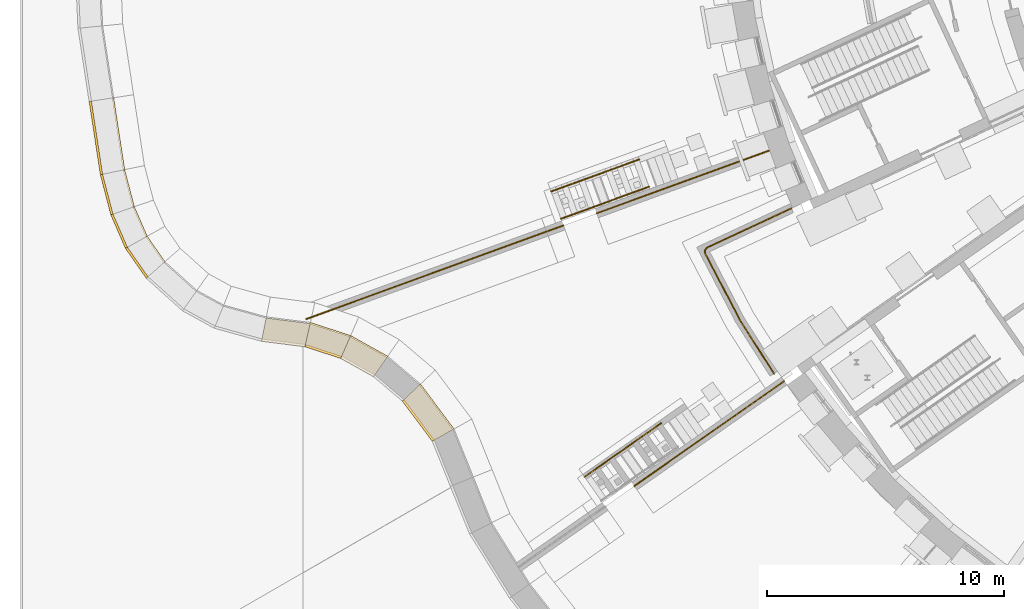
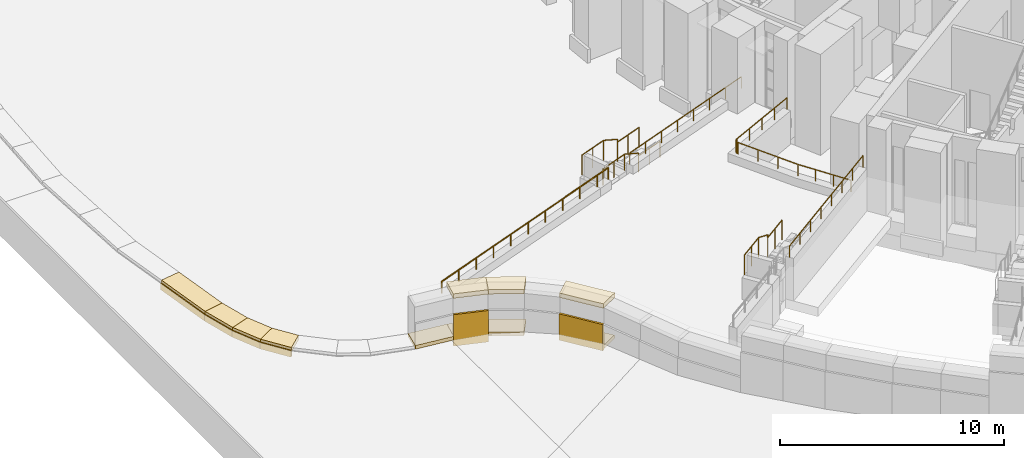
# One storey, part 54 of 65: 17 coverings, 8 railings.
"""IFC4 building model written with IfcOpenShell, lengths in metres."""

from ifc_helpers import new_model, si_unit, direction, frame, origin, origin_2d, place, context, subcontext, project, spatial, polyline, circle, outline, extrude, material, layer, layer_set, type_object, element, save


model = new_model("IFC4")

# Units and contexts
model_context = context("Model", 3, precision=1e-05, world=origin(), true_north=direction((0.0, 1.0)))
body_context = subcontext(model_context, "Body", "Model", "MODEL_VIEW")
ifc_project = project(units=[si_unit("LENGTHUNIT", "METRE"), si_unit("AREAUNIT", "SQUARE_METRE"), si_unit("VOLUMEUNIT", "CUBIC_METRE"), si_unit("PLANEANGLEUNIT", "RADIAN"), si_unit("MASSUNIT", "GRAM", prefix="KILO")], contexts=[model_context])

# Site, building, storey
site_placement = place(None, origin())
site = spatial("IfcSite", under=ifc_project, at=site_placement, CompositionType="ELEMENT")
building_placement = place(site_placement, origin())
building = spatial("IfcBuilding", under=site, at=building_placement, Name="Volute Hill Aquarium", CompositionType="ELEMENT")
storey_placement = place(building_placement, frame((0.0, 0.0, -5.5)))
storey = spatial("IfcBuildingStorey", under=building, at=storey_placement, Name="L00", CompositionType="ELEMENT", Elevation=-5.5)

# Coverings
ifc_material_1 = material(Name="Precast concrete C40/50", Category="concrete")
ifc_layer_1 = layer(ifc_material_1, 0.25)
ifc_layer_set_1 = layer_set([ifc_layer_1], Name="Plinth coping precast concrete C40/50 1000")
covering_type_1 = type_object("IfcCoveringType", Name="Plinth coping precast concrete C40/50 1000", PredefinedType="CLADDING", material=ifc_layer_set_1)
covering_1_placement = place(storey_placement, frame((0.0, 0.0, 2.22509765625)))
element("IfcCovering", 1, at=covering_1_placement, inside=storey, type_object=covering_type_1, Name="cp/E1FB1/L00/0", PredefinedType="CLADDING", context=body_context, shape_type="SweptSolid", body=[
    extrude(outline(polyline([(-49.89990234375, -19.269775390625), (-48.379638671875, -19.76416015625), (-47.977783203125, -18.843505859375), (-49.68017578125, -18.28955078125), (-49.89990234375, -19.269775390625), (-49.89990234375, -19.269775390625)])), origin(), (0.0, 0.0, 1.0), 0.25),
])
covering_2_placement = place(storey_placement, frame((0.0, 0.0, 2.22509765625)))
element("IfcCovering", 2, at=covering_2_placement, inside=storey, type_object=covering_type_1, Name="cp/E2FB1/L00/0", PredefinedType="CLADDING", context=body_context, shape_type="SweptSolid", body=[
    extrude(outline(polyline([(-46.98291015625, -20.543212890625), (-46.98291015625, -20.543212890625), (-46.41064453125, -19.71728515625), (-46.41064453125, -19.71728515625), (-47.977783203125, -18.843505859375), (-47.977783203125, -18.843505859375), (-48.379638671875, -19.76416015625), (-48.379638671875, -19.76416015625), (-46.98291015625, -20.543212890625)])), origin(), (0.0, 0.0, 1.0), 0.25),
])
covering_3_placement = place(storey_placement, frame((0.0, 0.0, 2.22509765625)))
element("IfcCovering", 3, at=covering_3_placement, inside=storey, type_object=covering_type_1, Name="cp/E4FB1/L00/0", PredefinedType="CLADDING", context=body_context, shape_type="SweptSolid", body=[
    extrude(outline(polyline([(-44.487548828125, -23.28369140625), (-44.487548828125, -23.28369140625), (-43.6083984375, -22.789794921875), (-43.6083984375, -22.789794921875), (-45.026123046875, -20.890625), (-45.026123046875, -20.890625), (-45.759521484375, -21.580078125), (-45.759521484375, -21.580078125), (-44.487548828125, -23.28369140625)])), origin(), (0.0, 0.0, 1.0), 0.25),
])
covering_4_placement = place(storey_placement, frame((0.0, 0.0, -0.10009765625)))
element("IfcCovering", 4, at=covering_4_placement, inside=storey, type_object=covering_type_1, Name="cp/E98LC/L00/1", PredefinedType="CLADDING", context=body_context, shape_type="SweptSolid", body=[
    extrude(outline(polyline([(-58.50634765625, -12.0361328125), (-58.50634765625, -12.0361328125), (-57.52587890625, -11.833740234375), (-57.52587890625, -11.833740234375), (-57.990966796875, -8.794921875), (-58.979248046875, -8.946044921875), (-58.50634765625, -12.0361328125)])), origin(), (0.0, 0.0, 1.0), 0.25),
])
covering_5_placement = place(storey_placement, frame((0.0, 0.0, -0.10009765625)))
element("IfcCovering", 5, at=covering_5_placement, inside=storey, type_object=covering_type_1, Name="cp/E99LC/L00/0", PredefinedType="CLADDING", context=body_context, shape_type="SweptSolid", body=[
    extrude(outline(polyline([(-58.50634765625, -12.0361328125), (-58.0654296875, -13.726806640625), (-57.117431640625, -13.399169921875), (-57.52587890625, -11.833740234375), (-58.50634765625, -12.0361328125)])), origin(), (0.0, 0.0, 1.0), 0.25),
])
covering_6_placement = place(storey_placement, frame((0.0, 0.0, -0.10009765625)))
element("IfcCovering", 6, at=covering_6_placement, inside=storey, type_object=covering_type_1, Name="cp/E100LC/L00/0", PredefinedType="CLADDING", context=body_context, shape_type="SweptSolid", body=[
    extrude(outline(polyline([(-58.0654296875, -13.726806640625), (-57.4521484375, -15.135986328125), (-56.574951171875, -14.64599609375), (-57.117431640625, -13.399169921875), (-57.117431640625, -13.399169921875), (-58.0654296875, -13.726806640625), (-58.0654296875, -13.726806640625)])), origin(), (0.0, 0.0, 1.0), 0.25),
])
covering_7_placement = place(storey_placement, frame((0.0, 0.0, -0.10009765625)))
element("IfcCovering", 7, at=covering_7_placement, inside=storey, type_object=covering_type_1, Name="cp/E101LC/L00/0", PredefinedType="CLADDING", context=body_context, shape_type="SweptSolid", body=[
    extrude(outline(polyline([(-56.57958984375, -16.38916015625), (-56.57958984375, -16.38916015625), (-55.8251953125, -15.722412109375), (-55.8251953125, -15.722412109375), (-56.574951171875, -14.64599609375), (-56.574951171875, -14.64599609375), (-57.4521484375, -15.135986328125), (-57.4521484375, -15.135986328125), (-56.57958984375, -16.38916015625)])), origin(), (0.0, 0.0, 1.0), 0.25),
])
ifc_material_2 = material(Name="Precast concrete C40/50", Category="concrete")
ifc_layer_2 = layer(ifc_material_2, 0.199951171875)
ifc_layer_set_2 = layer_set([ifc_layer_2], Name="Plinth grade course precast concrete C40/50 1100")
covering_type_2 = type_object("IfcCoveringType", Name="Plinth grade course precast concrete C40/50 1100", PredefinedType="CLADDING", material=ifc_layer_set_2)
covering_8_placement = place(storey_placement, origin())
element("IfcCovering", 8, at=covering_8_placement, inside=storey, type_object=covering_type_2, Name="gc/E0FB1/L00/0", PredefinedType="CLADDING", context=body_context, shape_type="SweptSolid", body=[
    extrude(outline(polyline([(-49.910888671875, -19.318603515625), (-49.910888671875, -19.318603515625), (-49.691162109375, -18.338623046875), (-51.548583984375, -18.102294921875), (-51.548583984375, -18.102294921875), (-51.745849609375, -19.085205078125), (-49.910888671875, -19.318603515625)])), origin(), (0.0, 0.0, 1.0), 0.199951171875),
])
covering_9_placement = place(storey_placement, origin())
element("IfcCovering", 9, at=covering_9_placement, inside=storey, type_object=covering_type_2, Name="gc/E1FB1/L00/0", PredefinedType="CLADDING", context=body_context, shape_type="SweptSolid", body=[
    extrude(outline(polyline([(-49.910888671875, -19.318603515625), (-48.399658203125, -19.810302734375), (-47.997802734375, -18.889404296875), (-47.997802734375, -18.889404296875), (-49.691162109375, -18.338623046875), (-49.910888671875, -19.318603515625)])), origin(), (0.0, 0.0, 1.0), 0.199951171875),
])
covering_10_placement = place(storey_placement, origin())
element("IfcCovering", 10, at=covering_10_placement, inside=storey, type_object=covering_type_2, Name="gc/E2FB1/L00/0", PredefinedType="CLADDING", context=body_context, shape_type="SweptSolid", body=[
    extrude(outline(polyline([(-47.011474609375, -20.584716796875), (-47.011474609375, -20.584716796875), (-46.439208984375, -19.7587890625), (-46.439208984375, -19.7587890625), (-47.997802734375, -18.889404296875), (-48.399658203125, -19.810302734375), (-48.399658203125, -19.810302734375), (-47.011474609375, -20.584716796875)])), origin(), (0.0, 0.0, 1.0), 0.199951171875),
])
covering_11_placement = place(storey_placement, origin())
element("IfcCovering", 11, at=covering_11_placement, inside=storey, type_object=covering_type_2, Name="gc/E4FB1/L00/0", PredefinedType="CLADDING", context=body_context, shape_type="SweptSolid", body=[
    extrude(outline(polyline([(-45.796142578125, -21.614501953125), (-44.531494140625, -23.308349609375), (-43.65234375, -22.814453125), (-43.65234375, -22.814453125), (-45.062744140625, -20.925048828125), (-45.062744140625, -20.925048828125), (-45.796142578125, -21.614501953125), (-45.796142578125, -21.614501953125)])), origin(), (0.0, 0.0, 1.0), 0.199951171875),
])
ifc_material_3 = material(Name="Precast concrete C40/50", Category="concrete")
ifc_layer_3 = layer(ifc_material_3, 0.10009765625)
ifc_layer_set_3 = layer_set([ifc_layer_3], Name="Retained ground face precast concrete C40/50 100")
covering_type_3 = type_object("IfcCoveringType", Name="Retained ground face precast concrete C40/50 100", PredefinedType="CLADDING", material=ifc_layer_set_3)
covering_12_placement = place(storey_placement, frame((0.0, 0.0, -0.336669921875)))
element("IfcCovering", 12, at=covering_12_placement, inside=storey, type_object=covering_type_3, Name="tg/E1FB1/L00/0", PredefinedType="CLADDING", context=body_context, shape_type="SweptSolid", body=[
    extrude(outline(polyline([(-49.910888671875, -19.318603515625), (-48.399658203125, -19.810302734375), (-48.359619140625, -19.71826171875), (-49.888916015625, -19.220703125), (-49.888916015625, -19.220703125), (-49.910888671875, -19.318603515625)])), origin(), (0.0, 0.0, 1.0), 1.711669921875),
])
covering_13_placement = place(storey_placement, frame((0.0, 0.0, -0.05859375)))
element("IfcCovering", 13, at=covering_13_placement, inside=storey, type_object=covering_type_3, Name="tg/E4FB1/L00/0", PredefinedType="CLADDING", context=body_context, shape_type="SweptSolid", body=[
    extrude(outline(polyline([(-45.796142578125, -21.614501953125), (-44.531494140625, -23.308349609375), (-44.443603515625, -23.259033203125), (-44.443603515625, -23.259033203125), (-45.72265625, -21.54541015625), (-45.72265625, -21.54541015625), (-45.796142578125, -21.614501953125), (-45.796142578125, -21.614501953125)])), origin(), (0.0, 0.0, 1.0), 1.43359375),
])
covering_14_placement = place(storey_placement, frame((0.0, 0.0, -0.35009765625)))
element("IfcCovering", 14, at=covering_14_placement, inside=storey, type_object=covering_type_3, Name="tg/E98LC/L00/1", PredefinedType="CLADDING", context=body_context, shape_type="SweptSolid", body=[
    extrude(outline(polyline([(-58.555419921875, -12.046142578125), (-58.555419921875, -12.046142578125), (-58.45751953125, -12.02587890625), (-58.45751953125, -12.02587890625), (-58.929931640625, -8.9384765625), (-59.02880859375, -8.95361328125), (-58.555419921875, -12.046142578125)])), origin(), (0.0, 0.0, 1.0), 0.35009765625),
])
covering_15_placement = place(storey_placement, frame((0.0, 0.0, -0.35009765625)))
element("IfcCovering", 15, at=covering_15_placement, inside=storey, type_object=covering_type_3, Name="tg/E99LC/L00/0", PredefinedType="CLADDING", context=body_context, shape_type="SweptSolid", body=[
    extrude(outline(polyline([(-58.11279296875, -13.743408203125), (-58.11279296875, -13.743408203125), (-58.017822265625, -13.71044921875), (-58.45751953125, -12.02587890625), (-58.555419921875, -12.046142578125), (-58.11279296875, -13.743408203125)])), origin(), (0.0, 0.0, 1.0), 0.35009765625),
])
covering_16_placement = place(storey_placement, frame((0.0, 0.0, -0.35009765625)))
element("IfcCovering", 16, at=covering_16_placement, inside=storey, type_object=covering_type_3, Name="tg/E100LC/L00/0", PredefinedType="CLADDING", context=body_context, shape_type="SweptSolid", body=[
    extrude(outline(polyline([(-58.11279296875, -13.743408203125), (-57.49609375, -15.160400390625), (-57.408447265625, -15.111572265625), (-58.017822265625, -13.71044921875), (-58.017822265625, -13.71044921875), (-58.11279296875, -13.743408203125)])), origin(), (0.0, 0.0, 1.0), 0.35009765625),
])
covering_17_placement = place(storey_placement, frame((0.0, 0.0, -0.35009765625)))
element("IfcCovering", 17, at=covering_17_placement, inside=storey, type_object=covering_type_3, Name="tg/E101LC/L00/0", PredefinedType="CLADDING", context=body_context, shape_type="SweptSolid", body=[
    extrude(outline(polyline([(-56.6171875, -16.42236328125), (-56.6171875, -16.42236328125), (-56.541748046875, -16.355712890625), (-56.541748046875, -16.355712890625), (-57.408447265625, -15.111572265625), (-57.408447265625, -15.111572265625), (-57.49609375, -15.160400390625), (-57.49609375, -15.160400390625), (-56.6171875, -16.42236328125)])), origin(), (0.0, 0.0, 1.0), 0.35009765625),
])

# Railings
ifc_material_4 = material(Name="Steel S355", Category="steel")
railing_type_1 = type_object("IfcRailingType", Name="Site guard 1100", PredefinedType="GUARDRAIL", material=ifc_material_4)
railing_1_placement = place(storey_placement, frame((-35.7880859375, -11.403076171875, 0.763916015625)))
element("IfcRailing", 18, at=railing_1_placement, inside=storey, type_object=railing_type_1, Name="gd/ST200/L00/1", PredefinedType="GUARDRAIL", context=body_context, shape_type="SweptSolid", body=[
    extrude(circle(Radius=0.02392578125, at=origin_2d()), frame((0.0, 0.0, 1.076171875), z_axis=(-0.9397221254, -0.341939069183, 0.0), x_axis=(0.341939069183, -0.9397221254, 0.0)), (0.0, 0.0, 1.0), 1.5),
    extrude(circle(Radius=0.02392578125, at=origin_2d()), frame((-1.40966796875, -0.512939453125, 1.076171875), z_axis=(0.0, 0.0, 1.0), x_axis=(1.0, 0.0, 0.0)), (0.0, 0.0, 1.0), 0.15283203125),
    extrude(circle(Radius=0.02392578125, at=origin_2d()), frame((-1.40966796875, -0.512939453125, 1.22900390625), z_axis=(-0.848021952055, -0.308684580653, 0.430781381328), x_axis=(0.342049332837, -0.939681996159, 0.0)), (0.0, 0.0, 1.0), 1.063720703125),
    extrude(circle(Radius=0.02392578125, at=origin_2d()), frame((-2.311767578125, -0.84130859375, 1.68701171875), z_axis=(-0.9397221254, -0.341939069183, 0.0), x_axis=(0.341939069183, -0.9397221254, 0.0)), (0.0, 0.0, 1.0), 1.5),
    extrude(circle(Radius=0.02099609375, at=origin_2d()), origin(), (0.0, 0.0, 1.0), 1.052001953125),
    extrude(circle(Radius=0.02099609375, at=origin_2d()), frame((-0.704833984375, -0.25634765625, 0.0)), (0.0, 0.0, 1.0), 1.052001953125),
    extrude(circle(Radius=0.02099609375, at=origin_2d()), frame((-1.40966796875, -0.512939453125, 0.0)), (0.0, 0.0, 1.0), 1.052001953125),
    extrude(circle(Radius=0.02099609375, at=origin_2d()), frame((-1.40966796875, -0.512939453125, 0.15283203125)), (0.0, 0.0, 1.0), 1.052001953125),
    extrude(circle(Radius=0.02099609375, at=origin_2d()), frame((-2.311767578125, -0.84130859375, 0.611083984375)), (0.0, 0.0, 1.0), 1.052001953125),
    extrude(circle(Radius=0.02099609375, at=origin_2d()), frame((-3.0166015625, -1.09765625, 0.611083984375)), (0.0, 0.0, 1.0), 1.052001953125),
    extrude(circle(Radius=0.02099609375, at=origin_2d()), frame((-3.721435546875, -1.354248046875, 0.611083984375)), (0.0, 0.0, 1.0), 1.052001953125),
])
railing_2_placement = place(storey_placement, frame((-30.30517578125, -11.030029296875, 1.824951171875)))
element("IfcRailing", 19, at=railing_2_placement, inside=storey, type_object=railing_type_1, Name="gd/RW200/L00/0", PredefinedType="GUARDRAIL", context=body_context, shape_type="SweptSolid", body=[
    extrude(circle(Radius=0.02392578125, at=origin_2d()), frame((0.0, 0.0, 0.6259765625), z_axis=(-0.939682860451, -0.342046958435, 0.0), x_axis=(0.342046958435, -0.939682860451, 0.0)), (0.0, 0.0, 1.0), 7.739990234375),
    extrude(circle(Radius=0.02099609375, at=origin_2d()), origin(), (0.0, 0.0, 1.0), 0.601806640625),
    extrude(circle(Radius=0.02099609375, at=origin_2d()), frame((-1.0390625, -0.378173828125, 0.0)), (0.0, 0.0, 1.0), 0.601806640625),
    extrude(circle(Radius=0.02099609375, at=origin_2d()), frame((-2.078125, -0.75634765625, 0.0)), (0.0, 0.0, 1.0), 0.601806640625),
    extrude(circle(Radius=0.02099609375, at=origin_2d()), frame((-3.1171875, -1.134521484375, 0.0)), (0.0, 0.0, 1.0), 0.601806640625),
    extrude(circle(Radius=0.02099609375, at=origin_2d()), frame((-4.156005859375, -1.512939453125, 0.0)), (0.0, 0.0, 1.0), 0.601806640625),
    extrude(circle(Radius=0.02099609375, at=origin_2d()), frame((-5.195068359375, -1.89111328125, 0.0)), (0.0, 0.0, 1.0), 0.601806640625),
    extrude(circle(Radius=0.02099609375, at=origin_2d()), frame((-6.234130859375, -2.269287109375, 0.0)), (0.0, 0.0, 1.0), 0.601806640625),
    extrude(circle(Radius=0.02099609375, at=origin_2d()), frame((-7.273193359375, -2.6474609375, 0.0)), (0.0, 0.0, 1.0), 0.601806640625),
])
railing_3_placement = place(storey_placement, frame((-38.98779296875, -14.1904296875, 1.824951171875)))
element("IfcRailing", 20, at=railing_3_placement, inside=storey, type_object=railing_type_1, Name="gd/RW200/L00/1", PredefinedType="GUARDRAIL", context=body_context, shape_type="SweptSolid", body=[
    extrude(circle(Radius=0.02392578125, at=origin_2d()), frame((0.0, 0.0, 0.6259765625), z_axis=(-0.939652650954, -0.342129939578, 0.0), x_axis=(0.342129939578, -0.939652650954, 0.0)), (0.0, 0.0, 1.0), 0.760009765625),
    extrude(circle(Radius=0.02099609375, at=origin_2d()), origin(), (0.0, 0.0, 1.0), 0.601806640625),
    extrude(circle(Radius=0.02099609375, at=origin_2d()), frame((-0.714111328125, -0.260009765625, 0.0)), (0.0, 0.0, 1.0), 0.601806640625),
])
railing_4_placement = place(storey_placement, frame((-39.701904296875, -14.450439453125, 1.824951171875)))
element("IfcRailing", 21, at=railing_4_placement, inside=storey, type_object=railing_type_1, Name="gd/RW200/L00/2", PredefinedType="GUARDRAIL", context=body_context, shape_type="SweptSolid", body=[
    extrude(circle(Radius=0.02392578125, at=origin_2d()), frame((0.0, 0.0, 0.6259765625), z_axis=(-0.939695025092, -0.342013537476, 0.0), x_axis=(0.342013537476, -0.939695025092, 0.0)), (0.0, 0.0, 1.0), 10.798095703125),
    extrude(circle(Radius=0.02099609375, at=origin_2d()), origin(), (0.0, 0.0, 1.0), 0.601806640625),
    extrude(circle(Radius=0.02099609375, at=origin_2d()), frame((-1.12744140625, -0.410400390625, 0.0)), (0.0, 0.0, 1.0), 0.601806640625),
    extrude(circle(Radius=0.02099609375, at=origin_2d()), frame((-2.2548828125, -0.82080078125, 0.0)), (0.0, 0.0, 1.0), 0.601806640625),
    extrude(circle(Radius=0.02099609375, at=origin_2d()), frame((-3.38232421875, -1.23095703125, 0.0)), (0.0, 0.0, 1.0), 0.601806640625),
    extrude(circle(Radius=0.02099609375, at=origin_2d()), frame((-4.509765625, -1.641357421875, 0.0)), (0.0, 0.0, 1.0), 0.601806640625),
    extrude(circle(Radius=0.02099609375, at=origin_2d()), frame((-5.63720703125, -2.0517578125, 0.0)), (0.0, 0.0, 1.0), 0.601806640625),
    extrude(circle(Radius=0.02099609375, at=origin_2d()), frame((-6.7646484375, -2.462158203125, 0.0)), (0.0, 0.0, 1.0), 0.601806640625),
    extrude(circle(Radius=0.02099609375, at=origin_2d()), frame((-7.89208984375, -2.872314453125, 0.0)), (0.0, 0.0, 1.0), 0.601806640625),
    extrude(circle(Radius=0.02099609375, at=origin_2d()), frame((-9.01953125, -3.28271484375, 0.0)), (0.0, 0.0, 1.0), 0.601806640625),
    extrude(circle(Radius=0.02099609375, at=origin_2d()), frame((-10.14697265625, -3.693115234375, 0.0)), (0.0, 0.0, 1.0), 0.601806640625),
])
railing_5_placement = place(storey_placement, frame((-34.85302734375, -22.542724609375, 2.138916015625)))
element("IfcRailing", 22, at=railing_5_placement, inside=storey, type_object=railing_type_1, Name="gd/ST215/L00/1", PredefinedType="GUARDRAIL", context=body_context, shape_type="SweptSolid", body=[
    extrude(circle(Radius=0.02392578125, at=origin_2d()), frame((0.0, 0.0, 1.076171875), z_axis=(-0.819163097304, -0.573560650686, 0.0), x_axis=(0.573560650686, -0.819163097304, 0.0)), (0.0, 0.0, 1.0), 1.5),
    extrude(circle(Radius=0.02392578125, at=origin_2d()), frame((-1.228759765625, -0.8603515625, 1.076171875), z_axis=(0.0, 0.0, 1.0), x_axis=(1.0, 0.0, 0.0)), (0.0, 0.0, 1.0), 0.15283203125),
    extrude(circle(Radius=0.02392578125, at=origin_2d()), frame((-1.228759765625, -0.8603515625, 1.22900390625), z_axis=(-0.739278980196, -0.517564141677, 0.430806161387), x_axis=(0.573513550572, -0.819196073788, 0.0)), (0.0, 0.0, 1.0), 1.063720703125),
    extrude(circle(Radius=0.02392578125, at=origin_2d()), frame((-2.01513671875, -1.410888671875, 1.68701171875), z_axis=(-0.819086626796, -0.573669850876, 0.0), x_axis=(0.573669850876, -0.819086626796, 0.0)), (0.0, 0.0, 1.0), 1.500244140625),
    extrude(circle(Radius=0.02099609375, at=origin_2d()), origin(), (0.0, 0.0, 1.0), 1.052001953125),
    extrude(circle(Radius=0.02099609375, at=origin_2d()), frame((-0.6142578125, -0.43017578125, 0.0)), (0.0, 0.0, 1.0), 1.052001953125),
    extrude(circle(Radius=0.02099609375, at=origin_2d()), frame((-1.228759765625, -0.8603515625, 0.0)), (0.0, 0.0, 1.0), 1.052001953125),
    extrude(circle(Radius=0.02099609375, at=origin_2d()), frame((-1.228759765625, -0.8603515625, 0.15283203125)), (0.0, 0.0, 1.0), 1.052001953125),
    extrude(circle(Radius=0.02099609375, at=origin_2d()), frame((-2.01513671875, -1.410888671875, 0.611083984375)), (0.0, 0.0, 1.0), 1.052001953125),
    extrude(circle(Radius=0.02099609375, at=origin_2d()), frame((-2.62939453125, -1.84130859375, 0.611083984375)), (0.0, 0.0, 1.0), 1.052001953125),
    extrude(circle(Radius=0.02099609375, at=origin_2d()), frame((-3.243896484375, -2.271484375, 0.611083984375)), (0.0, 0.0, 1.0), 1.052001953125),
])
railing_6_placement = place(storey_placement, frame((-29.6533203125, -20.763427734375, 3.199951171875)))
element("IfcRailing", 23, at=railing_6_placement, inside=storey, type_object=railing_type_1, Name="gd/RW215/L00/0", PredefinedType="GUARDRAIL", context=body_context, shape_type="SweptSolid", body=[
    extrude(circle(Radius=0.02392578125, at=origin_2d()), frame((0.0, 0.0, 0.6259765625), z_axis=(-0.819147443385, -0.573583007067, 0.0), x_axis=(0.573583007067, -0.819147443385, 0.0)), (0.0, 0.0, 1.0), 7.73974609375),
    extrude(circle(Radius=0.02099609375, at=origin_2d()), origin(), (0.0, 0.0, 1.0), 0.601806640625),
    extrude(circle(Radius=0.02099609375, at=origin_2d()), frame((-0.90576171875, -0.63427734375, 0.0)), (0.0, 0.0, 1.0), 0.601806640625),
    extrude(circle(Radius=0.02099609375, at=origin_2d()), frame((-1.8115234375, -1.268310546875, 0.0)), (0.0, 0.0, 1.0), 0.601806640625),
    extrude(circle(Radius=0.02099609375, at=origin_2d()), frame((-2.71728515625, -1.902587890625, 0.0)), (0.0, 0.0, 1.0), 0.601806640625),
    extrude(circle(Radius=0.02099609375, at=origin_2d()), frame((-3.622802734375, -2.536865234375, 0.0)), (0.0, 0.0, 1.0), 0.601806640625),
    extrude(circle(Radius=0.02099609375, at=origin_2d()), frame((-4.528564453125, -3.171142578125, 0.0)), (0.0, 0.0, 1.0), 0.601806640625),
    extrude(circle(Radius=0.02099609375, at=origin_2d()), frame((-5.434326171875, -3.80517578125, 0.0)), (0.0, 0.0, 1.0), 0.601806640625),
    extrude(circle(Radius=0.02099609375, at=origin_2d()), frame((-6.340087890625, -4.439453125, 0.0)), (0.0, 0.0, 1.0), 0.601806640625),
])
railing_7_placement = place(storey_placement, frame((-30.09033203125, -20.44970703125, 1.824951171875)))
element("IfcRailing", 24, at=railing_7_placement, inside=storey, type_object=railing_type_1, Name="gd/RWCFB10.0/L00/0", PredefinedType="GUARDRAIL", context=body_context, shape_type="SweptSolid", body=[
    extrude(circle(Radius=0.02392578125, at=origin_2d()), frame((0.0, 0.0, 0.6259765625), z_axis=(-0.537309192513, 0.843385339949, 0.0), x_axis=(-0.843385339949, -0.537309192513, 0.0)), (0.0, 0.0, 1.0), 2.658447265625),
    extrude(circle(Radius=0.02392578125, at=origin_2d()), frame((-1.428466796875, 2.2421875, 0.6259765625), z_axis=(-0.502135517387, 0.86478894661, 0.0), x_axis=(-0.86478894661, -0.502135517387, 0.0)), (0.0, 0.0, 1.0), 0.017578125),
    extrude(circle(Radius=0.02392578125, at=origin_2d()), frame((-1.437255859375, 2.25732421875, 0.6259765625), z_axis=(-0.461688617464, 0.887042062421, 0.0), x_axis=(-0.887042062421, -0.461688617464, 0.0)), (0.0, 0.0, 1.0), 3.157958984375),
    extrude(circle(Radius=0.02392578125, at=origin_2d()), frame((-2.895263671875, 5.05859375, 0.6259765625), z_axis=(-0.422885465331, 0.906183139995, 0.0), x_axis=(-0.906183139995, -0.422885465331, 0.0)), (0.0, 0.0, 1.0), 0.020263671875),
    extrude(circle(Radius=0.02392578125, at=origin_2d()), frame((-2.90380859375, 5.076904296875, 0.6259765625), z_axis=(-0.316227766017, 0.948683298051, 0.0), x_axis=(-0.948683298051, -0.316227766017, 0.0)), (0.0, 0.0, 1.0), 0.02001953125),
    extrude(circle(Radius=0.02392578125, at=origin_2d()), frame((-2.91015625, 5.095947265625, 0.6259765625), z_axis=(-0.22836934353, 0.973574569787, 0.0), x_axis=(-0.973574569787, -0.22836934353, 0.0)), (0.0, 0.0, 1.0), 0.020263671875),
    extrude(circle(Radius=0.02392578125, at=origin_2d()), frame((-2.914794921875, 5.11572265625, 0.6259765625), z_axis=(-0.13456727237, 0.990904460181, 0.0), x_axis=(-0.990904460181, -0.13456727237, 0.0)), (0.0, 0.0, 1.0), 0.02001953125),
    extrude(circle(Radius=0.02392578125, at=origin_2d()), frame((-2.91748046875, 5.135498046875, 0.6259765625), z_axis=(-0.024089392975, 0.999709808467, 0.0), x_axis=(-0.999709808467, -0.024089392975, 0.0)), (0.0, 0.0, 1.0), 0.020263671875),
    extrude(circle(Radius=0.02392578125, at=origin_2d()), frame((-2.91796875, 5.15576171875, 0.6259765625), z_axis=(0.084039003148, 0.996462465901, 0.0), x_axis=(-0.996462465901, 0.084039003148, 0.0)), (0.0, 0.0, 1.0), 0.020263671875),
    extrude(circle(Radius=0.02392578125, at=origin_2d()), frame((-2.916259765625, 5.176025390625, 0.6259765625), z_axis=(0.170314285219, 0.985389793052, 0.0), x_axis=(-0.985389793052, 0.170314285219, 0.0)), (0.0, 0.0, 1.0), 0.02001953125),
    extrude(circle(Radius=0.02392578125, at=origin_2d()), frame((-2.912841796875, 5.19580078125, 0.6259765625), z_axis=(0.268272734774, 0.963343002143, 0.0), x_axis=(-0.963343002143, 0.268272734774, 0.0)), (0.0, 0.0, 1.0), 0.02001953125),
    extrude(circle(Radius=0.02392578125, at=origin_2d()), frame((-2.907470703125, 5.215087890625, 0.6259765625), z_axis=(0.373466870858, 0.927643517938, 0.0), x_axis=(-0.927643517938, 0.373466870858, 0.0)), (0.0, 0.0, 1.0), 0.020263671875),
    extrude(circle(Radius=0.02392578125, at=origin_2d()), frame((-2.89990234375, 5.23388671875, 0.6259765625), z_axis=(0.461735279655, 0.887017774073, 0.0), x_axis=(-0.887017774073, 0.461735279655, 0.0)), (0.0, 0.0, 1.0), 0.02001953125),
    extrude(circle(Radius=0.02392578125, at=origin_2d()), frame((-2.890625, 5.251708984375, 0.6259765625), z_axis=(0.540757591313, 0.841178475377, 0.0), x_axis=(-0.841178475377, 0.540757591313, 0.0)), (0.0, 0.0, 1.0), 0.020263671875),
    extrude(circle(Radius=0.02392578125, at=origin_2d()), frame((-2.879638671875, 5.268798828125, 0.6259765625), z_axis=(0.630592625094, 0.776114000116, 0.0), x_axis=(-0.776114000116, 0.630592625094, 0.0)), (0.0, 0.0, 1.0), 0.02001953125),
    extrude(circle(Radius=0.02392578125, at=origin_2d()), frame((-2.866943359375, 5.284423828125, 0.6259765625), z_axis=(0.701037528081, 0.713124382013, 0.0), x_axis=(-0.713124382013, 0.701037528081, 0.0)), (0.0, 0.0, 1.0), 0.020263671875),
    extrude(circle(Radius=0.02392578125, at=origin_2d()), frame((-2.852783203125, 5.298828125, 0.6259765625), z_axis=(0.776114000116, 0.630592625094, 0.0), x_axis=(-0.630592625094, 0.776114000116, 0.0)), (0.0, 0.0, 1.0), 0.02001953125),
    extrude(circle(Radius=0.02392578125, at=origin_2d()), frame((-2.837158203125, 5.3115234375, 0.6259765625), z_axis=(0.832050294338, 0.554700196225, 0.0), x_axis=(-0.554700196225, 0.832050294338, 0.0)), (0.0, 0.0, 1.0), 0.020263671875),
    extrude(circle(Radius=0.02392578125, at=origin_2d()), frame((-2.8203125, 5.32275390625, 0.6259765625), z_axis=(0.882018256262, 0.471215232798, 0.0), x_axis=(-0.471215232798, 0.882018256262, 0.0)), (0.0, 0.0, 1.0), 0.020263671875),
    extrude(circle(Radius=0.02392578125, at=origin_2d()), frame((-2.802490234375, 5.332275390625, 0.6259765625), z_axis=(0.906334679348, 0.422560586202, 0.0), x_axis=(-0.422560586202, 0.906334679348, 0.0)), (0.0, 0.0, 1.0), 3.90869140625),
    extrude(circle(Radius=0.02099609375, at=origin_2d()), origin(), (0.0, 0.0, 1.0), 0.601806640625),
    extrude(circle(Radius=0.02099609375, at=origin_2d()), frame((-0.47607421875, 0.747314453125, 0.0)), (0.0, 0.0, 1.0), 0.601806640625),
    extrude(circle(Radius=0.02099609375, at=origin_2d()), frame((-0.952392578125, 1.494873046875, 0.0)), (0.0, 0.0, 1.0), 0.601806640625),
    extrude(circle(Radius=0.02099609375, at=origin_2d()), frame((-1.428466796875, 2.2421875, 0.0)), (0.0, 0.0, 1.0), 0.601806640625),
    extrude(circle(Radius=0.02099609375, at=origin_2d()), frame((-1.437255859375, 2.25732421875, 0.0)), (0.0, 0.0, 1.0), 0.601806640625),
    extrude(circle(Radius=0.02099609375, at=origin_2d()), frame((-1.92333984375, 3.191162109375, 0.0)), (0.0, 0.0, 1.0), 0.601806640625),
    extrude(circle(Radius=0.02099609375, at=origin_2d()), frame((-2.4091796875, 4.124755859375, 0.0)), (0.0, 0.0, 1.0), 0.601806640625),
    extrude(circle(Radius=0.02099609375, at=origin_2d()), frame((-2.895263671875, 5.05859375, 0.0)), (0.0, 0.0, 1.0), 0.601806640625),
    extrude(circle(Radius=0.02099609375, at=origin_2d()), frame((-2.90380859375, 5.076904296875, 0.0)), (0.0, 0.0, 1.0), 0.601806640625),
    extrude(circle(Radius=0.02099609375, at=origin_2d()), frame((-2.91015625, 5.095947265625, 0.0)), (0.0, 0.0, 1.0), 0.601806640625),
    extrude(circle(Radius=0.02099609375, at=origin_2d()), frame((-2.914794921875, 5.11572265625, 0.0)), (0.0, 0.0, 1.0), 0.601806640625),
    extrude(circle(Radius=0.02099609375, at=origin_2d()), frame((-2.91748046875, 5.135498046875, 0.0)), (0.0, 0.0, 1.0), 0.601806640625),
    extrude(circle(Radius=0.02099609375, at=origin_2d()), frame((-2.91796875, 5.15576171875, 0.0)), (0.0, 0.0, 1.0), 0.601806640625),
    extrude(circle(Radius=0.02099609375, at=origin_2d()), frame((-2.916259765625, 5.176025390625, 0.0)), (0.0, 0.0, 1.0), 0.601806640625),
    extrude(circle(Radius=0.02099609375, at=origin_2d()), frame((-2.912841796875, 5.19580078125, 0.0)), (0.0, 0.0, 1.0), 0.601806640625),
    extrude(circle(Radius=0.02099609375, at=origin_2d()), frame((-2.907470703125, 5.215087890625, 0.0)), (0.0, 0.0, 1.0), 0.601806640625),
    extrude(circle(Radius=0.02099609375, at=origin_2d()), frame((-2.89990234375, 5.23388671875, 0.0)), (0.0, 0.0, 1.0), 0.601806640625),
    extrude(circle(Radius=0.02099609375, at=origin_2d()), frame((-2.890625, 5.251708984375, 0.0)), (0.0, 0.0, 1.0), 0.601806640625),
    extrude(circle(Radius=0.02099609375, at=origin_2d()), frame((-2.879638671875, 5.268798828125, 0.0)), (0.0, 0.0, 1.0), 0.601806640625),
    extrude(circle(Radius=0.02099609375, at=origin_2d()), frame((-2.866943359375, 5.284423828125, 0.0)), (0.0, 0.0, 1.0), 0.601806640625),
    extrude(circle(Radius=0.02099609375, at=origin_2d()), frame((-2.852783203125, 5.298828125, 0.0)), (0.0, 0.0, 1.0), 0.601806640625),
    extrude(circle(Radius=0.02099609375, at=origin_2d()), frame((-2.837158203125, 5.3115234375, 0.0)), (0.0, 0.0, 1.0), 0.601806640625),
    extrude(circle(Radius=0.02099609375, at=origin_2d()), frame((-2.8203125, 5.32275390625, 0.0)), (0.0, 0.0, 1.0), 0.601806640625),
    extrude(circle(Radius=0.02099609375, at=origin_2d()), frame((-2.802490234375, 5.332275390625, 0.0)), (0.0, 0.0, 1.0), 0.601806640625),
    extrude(circle(Radius=0.02099609375, at=origin_2d()), frame((-1.9169921875, 5.7451171875, 0.0)), (0.0, 0.0, 1.0), 0.601806640625),
    extrude(circle(Radius=0.02099609375, at=origin_2d()), frame((-1.03125, 6.158203125, 0.0)), (0.0, 0.0, 1.0), 0.601806640625),
    extrude(circle(Radius=0.02099609375, at=origin_2d()), frame((-0.1455078125, 6.571044921875, 0.0)), (0.0, 0.0, 1.0), 0.601806640625),
    extrude(circle(Radius=0.02099609375, at=origin_2d()), frame((0.739990234375, 6.98388671875, 0.0)), (0.0, 0.0, 1.0), 0.601806640625),
])
ifc_material_5 = material(Name="Steel S355", Category="steel")
railing_type_2 = type_object("IfcRailingType", Name="Site handrail 900", PredefinedType="HANDRAIL", material=ifc_material_5)
railing_8_placement = place(storey_placement, frame((-35.369384765625, -12.55419921875, 0.763916015625)))
element("IfcRailing", 25, at=railing_8_placement, inside=storey, type_object=railing_type_2, Name="hr/ST200/L00/1", PredefinedType="HANDRAIL", context=body_context, shape_type="SweptSolid", body=[
    extrude(circle(Radius=0.02392578125, at=origin_2d()), frame((0.0, 0.0, 0.8759765625), z_axis=(-0.939703091851, -0.341991372939, 0.0), x_axis=(0.341991372939, -0.939703091851, 0.0)), (0.0, 0.0, 1.0), 1.499755859375),
    extrude(circle(Radius=0.02392578125, at=origin_2d()), frame((-1.409423828125, -0.512939453125, 0.8759765625), z_axis=(0.0, 0.0, 1.0), x_axis=(1.0, 0.0, 0.0)), (0.0, 0.0, 1.0), 0.15283203125),
    extrude(circle(Radius=0.02392578125, at=origin_2d()), frame((-1.409423828125, -0.512939453125, 1.02880859375), z_axis=(-0.848021952055, -0.308684580653, 0.430781381328), x_axis=(0.342049332837, -0.939681996159, 0.0)), (0.0, 0.0, 1.0), 1.063720703125),
    extrude(circle(Radius=0.02392578125, at=origin_2d()), frame((-2.3115234375, -0.84130859375, 1.48681640625), z_axis=(-0.9397221254, -0.341939069183, 0.0), x_axis=(0.341939069183, -0.9397221254, 0.0)), (0.0, 0.0, 1.0), 1.5),
    extrude(circle(Radius=0.02099609375, at=origin_2d()), origin(), (0.0, 0.0, 1.0), 0.851806640625),
    extrude(circle(Radius=0.02099609375, at=origin_2d()), frame((-0.70458984375, -0.25634765625, 0.0)), (0.0, 0.0, 1.0), 0.851806640625),
    extrude(circle(Radius=0.02099609375, at=origin_2d()), frame((-1.409423828125, -0.512939453125, 0.0)), (0.0, 0.0, 1.0), 0.851806640625),
    extrude(circle(Radius=0.02099609375, at=origin_2d()), frame((-1.409423828125, -0.512939453125, 0.15283203125)), (0.0, 0.0, 1.0), 0.851806640625),
    extrude(circle(Radius=0.02099609375, at=origin_2d()), frame((-2.3115234375, -0.84130859375, 0.611083984375)), (0.0, 0.0, 1.0), 0.851806640625),
    extrude(circle(Radius=0.02099609375, at=origin_2d()), frame((-3.016357421875, -1.09765625, 0.611083984375)), (0.0, 0.0, 1.0), 0.851806640625),
    extrude(circle(Radius=0.02099609375, at=origin_2d()), frame((-3.72119140625, -1.354248046875, 0.611083984375)), (0.0, 0.0, 1.0), 0.851806640625),
])

save(model, "model.ifc")
